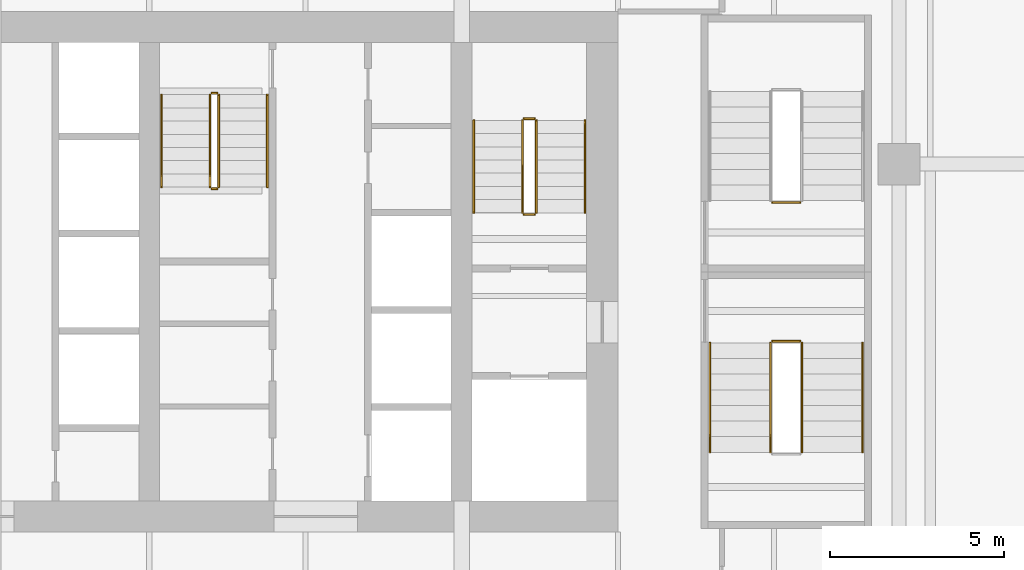
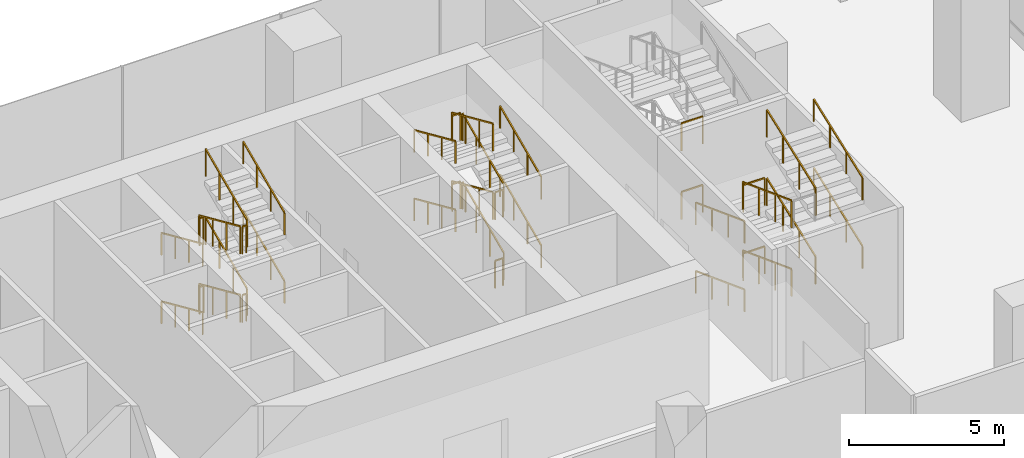
# One storey, part 25 of 26: 36 railings.
"""IFC4 building model written with IfcOpenShell, lengths in metres."""

import ifcopenshell
import ifcopenshell.guid

model = None  # the IFC model being written
_history = None  # IfcOwnerHistory: only IFC2X3 demands one
_inside = {}  # id of a spatial element -> (the spatial element, [elements in it])
_under = {}  # id of a project, library or spatial element -> (it, [spatial elements below it])
_declared = {}  # id of a project -> (the project, [libraries it declares])
_typed = {}  # id of a type object -> (the type object, [elements of that type])
_made_of = {}  # id of a material, layer set ... -> (it, [elements and type objects made of it])


def new_model(schema):
    """Start an empty IFC model of exactly this schema.

    Asked for "IFC4X3", IfcOpenShell would pick the latest addendum, in which some entities
    have other attributes; the version numbers below select the first issue.
    IFC2X3 requires an IfcOwnerHistory on every rooted entity: one is made here for all.
    """
    global model, _history
    if schema == "IFC4X3":
        model = ifcopenshell.file(schema_version=(4, 3, 0, 0))
    else:
        model = ifcopenshell.file(schema=schema)
    _inside.clear()
    _under.clear()
    _declared.clear()
    _typed.clear()
    _made_of.clear()
    _history = None
    if model.schema == "IFC2X3":
        org = make("IfcOrganization", Name="unknown")
        user = make(
            "IfcPersonAndOrganization",
            ThePerson=make("IfcPerson", FamilyName="unknown"),
            TheOrganization=org,
        )
        app = make(
            "IfcApplication",
            ApplicationDeveloper=org,
            Version="unknown",
            ApplicationFullName="unknown",
            ApplicationIdentifier="unknown",
        )
        _history = make(
            "IfcOwnerHistory",
            OwningUser=user,
            OwningApplication=app,
            ChangeAction="ADDED",
            CreationDate=0,
        )
    return model


def make(cls, **values):
    """One entity of the class cls with the attributes given. An attribute that is None is left unset."""
    return model.create_entity(
        cls, **{name: value for name, value in values.items() if value is not None}
    )


def rooted(cls, **values):
    """An entity with a GlobalId (a new one), such as an element, a storey or a relation."""
    return make(cls, GlobalId=ifcopenshell.guid.new(), OwnerHistory=_history, **values)


def si_unit(unit_type, name, prefix=None):
    """IfcSIUnit, for example si_unit("LENGTHUNIT", "METRE", prefix="MILLI")."""
    return make("IfcSIUnit", UnitType=unit_type, Prefix=prefix, Name=name)


def assignment(units):
    """IfcUnitAssignment: the units of a project."""
    return None if units is None else make("IfcUnitAssignment", Units=units)


def point(xyz):
    """IfcCartesianPoint."""
    return None if xyz is None else make("IfcCartesianPoint", Coordinates=xyz)


def direction(xyz):
    """IfcDirection."""
    return None if xyz is None else make("IfcDirection", DirectionRatios=xyz)


def frame(location, z_axis=None, x_axis=None):
    """IfcAxis2Placement3D, a coordinate frame: its origin and axes. An axis left out is left unset."""
    return make(
        "IfcAxis2Placement3D",
        Location=point(location),
        Axis=direction(z_axis),
        RefDirection=direction(x_axis),
    )


def frame_2d(location, x_axis=None):
    """IfcAxis2Placement2D, a coordinate frame in the plane: its origin and x axis."""
    return make(
        "IfcAxis2Placement2D", Location=point(location), RefDirection=direction(x_axis)
    )


def origin():
    """The frame at (0, 0, 0) with its axes left unset."""
    return frame((0.0, 0.0, 0.0))


def origin_2d():
    """The frame at (0, 0) in the plane with its x axis left unset."""
    return frame_2d((0.0, 0.0))


def place(relative_to, where):
    """IfcLocalPlacement: puts the frame where relative to a parent placement (None: the world)."""
    return make(
        "IfcLocalPlacement", PlacementRelTo=relative_to, RelativePlacement=where
    )


def context(
    kind, dimensions, precision=None, world=None, true_north=None, identifier=None
):
    """IfcGeometricRepresentationContext, for example the 3D "Model" context."""
    return make(
        "IfcGeometricRepresentationContext",
        ContextIdentifier=identifier,
        ContextType=kind,
        CoordinateSpaceDimension=dimensions,
        Precision=precision,
        WorldCoordinateSystem=world,
        TrueNorth=true_north,
    )


def subcontext(parent, identifier, kind, view, scale=None):
    """IfcGeometricRepresentationSubContext, for example "Body" below "Model"."""
    return make(
        "IfcGeometricRepresentationSubContext",
        ContextIdentifier=identifier,
        ContextType=kind,
        ParentContext=parent,
        TargetScale=scale,
        TargetView=view,
    )


def project(units=None, contexts=None):
    """IfcProject with its units and contexts."""
    return rooted(
        "IfcProject",
        Name="project",
        RepresentationContexts=contexts,
        UnitsInContext=assignment(units),
    )


def spatial(cls, under=None, at=None, **own):
    """A site, building, storey or space (cls), placed at a placement, below another one or the project."""
    s = rooted(cls, ObjectPlacement=at, **own)
    if under is not None:
        _under.setdefault(under.id(), (under, []))[1].append(s)
    return s


def profile(cls, at=None, kind="AREA", **sizes):
    """A parametric profile (cls). Its sizes go by their IFC names, for example OverallWidth=200.0."""
    return make(cls, ProfileType=kind, Position=at, **sizes)


def rectangle(**sizes):
    """IfcRectangleProfileDef."""
    return profile("IfcRectangleProfileDef", **sizes)


def extrude(swept, where, along, depth):
    """IfcExtrudedAreaSolid: the profile swept, set in the frame where, extruded along a direction by depth."""
    return make(
        "IfcExtrudedAreaSolid",
        SweptArea=swept,
        Position=where,
        ExtrudedDirection=direction(along),
        Depth=depth,
    )


def shape(context_of_items, identifier, shape_type, items):
    """IfcShapeRepresentation: the items that make up one representation, for example the "Body"."""
    return make(
        "IfcShapeRepresentation",
        ContextOfItems=context_of_items,
        RepresentationIdentifier=identifier,
        RepresentationType=shape_type,
        Items=items,
    )


def material(Name=None, Category=None):
    """IfcMaterial."""
    return make("IfcMaterial", Name=Name, Category=Category)


def made_of(thing, what):
    """Note that an element or type object is made of a material, layer set ...; save() writes the relation."""
    if what is not None:
        _made_of.setdefault(what.id(), (what, []))[1].append(thing)
    return thing


def type_object(cls, material=None, **own):
    """A type object (cls), such as IfcWallType, which elements share."""
    return made_of(rooted(cls, **own), material)


def element(
    cls,
    number,
    at=None,
    inside=None,
    cuts=None,
    type_object=None,
    material=None,
    context=None,
    identifier="Body",
    shape_type=None,
    held_by="IfcProductDefinitionShape",
    body=None,
    shapes=None,
    **own,
):
    """One element of the class cls, such as IfcWall. Its Tag is "e" and its number.

    at: its placement. inside: the storey or other place that contains it. cuts: it is an
    opening in that element (IfcRelVoidsElement). A single representation is given by context,
    identifier, shape_type and body (its items); several are given by shapes. held_by: the class
    of the entity that holds the representations. save() writes the other relations.
    """
    e = rooted(cls, Tag="e%d" % number, ObjectPlacement=at, **own)
    if body is not None:
        shapes = [shape(context, identifier, shape_type, body)]
    if shapes is not None:
        e.Representation = make(held_by, Representations=shapes)
    if inside is not None:
        _inside.setdefault(inside.id(), (inside, []))[1].append(e)
    if cuts is not None:
        rooted(
            "IfcRelVoidsElement", RelatingBuildingElement=cuts, RelatedOpeningElement=e
        )
    if type_object is not None:
        _typed.setdefault(type_object.id(), (type_object, []))[1].append(e)
    return made_of(e, material)


def aggregate(whole, parts):
    """IfcRelAggregates: a whole, such as a stair, and the parts it consists of."""
    return rooted("IfcRelAggregates", RelatingObject=whole, RelatedObjects=parts)


def save(model, path):
    """Write the relations noted so far, then the file.

    IfcRelAggregates (storeys below a building ...), IfcRelContainedInSpatialStructure (elements
    in a storey), IfcRelDefinesByType, IfcRelAssociatesMaterial and IfcRelDeclares: one each for
    every whole, place, type object, material and project.
    """
    for whole, parts in _under.values():
        aggregate(whole, parts)
    for where, things in _inside.values():
        rooted(
            "IfcRelContainedInSpatialStructure",
            RelatedElements=things,
            RelatingStructure=where,
        )
    for kind, things in _typed.values():
        rooted("IfcRelDefinesByType", RelatedObjects=things, RelatingType=kind)
    for what, things in _made_of.values():
        rooted("IfcRelAssociatesMaterial", RelatedObjects=things, RelatingMaterial=what)
    for by, libraries in _declared.values():
        rooted("IfcRelDeclares", RelatingContext=by, RelatedDefinitions=libraries)
    model.write(path)


model = new_model("IFC4")

# Units and contexts
model_context = context("Model", 3, precision=1e-05, world=origin(), true_north=direction((0.0, 1.0)))
body_context = subcontext(model_context, "Body", "Model", "MODEL_VIEW")
ifc_project = project(units=[si_unit("LENGTHUNIT", "METRE"), si_unit("AREAUNIT", "SQUARE_METRE"), si_unit("VOLUMEUNIT", "CUBIC_METRE"), si_unit("PLANEANGLEUNIT", "RADIAN"), si_unit("MASSUNIT", "GRAM", prefix="KILO")], contexts=[model_context])

# Site, building, storey
site_placement = place(None, origin())
site = spatial("IfcSite", under=ifc_project, at=site_placement, CompositionType="ELEMENT")
building_placement = place(site_placement, origin())
building = spatial("IfcBuilding", under=site, at=building_placement, Name="Rattan Terrace Tower", CompositionType="ELEMENT")
storey_placement = place(building_placement, frame((0.0, 0.0, 7.199951171875)))
storey = spatial("IfcBuildingStorey", under=building, at=storey_placement, Name="L01", CompositionType="ELEMENT", Elevation=7.199951171875)

# Railings
ifc_material_1 = material(Name="Powder-coated steel guard", Category="steel")
railing_type_1 = type_object("IfcRailingType", Name="Core stair guard", PredefinedType="GUARDRAIL", material=ifc_material_1)
railing_1_placement = place(storey_placement, frame((15.64990234375, 1.699951171875, 0.168701171875)))
element("IfcRailing", 1, at=railing_1_placement, inside=storey, type_object=railing_type_1, Name="L01 S2 stair guard 1", PredefinedType="GUARDRAIL", context=body_context, shape_type="SweptSolid", body=[
    extrude(rectangle(XDim=0.048095703125, YDim=0.048095703125, at=origin_2d()), frame((0.0, 0.0, 1.076171875), z_axis=(0.0, 0.913925654661, 0.405881630223), x_axis=(-1.0, 0.0, 0.0)), (0.0, 0.0, 1.0), 2.91064453125),
    extrude(rectangle(XDim=0.0419921875, YDim=0.0419921875, at=origin_2d()), origin(), (0.0, 0.0, 1.0), 1.052001953125),
    extrude(rectangle(XDim=0.0419921875, YDim=0.0419921875, at=origin_2d()), frame((0.0, 0.88671875, 0.393798828125)), (0.0, 0.0, 1.0), 1.052001953125),
    extrude(rectangle(XDim=0.0419921875, YDim=0.0419921875, at=origin_2d()), frame((0.0, 1.7734375, 0.78759765625)), (0.0, 0.0, 1.0), 1.052001953125),
    extrude(rectangle(XDim=0.0419921875, YDim=0.0419921875, at=origin_2d()), frame((0.0, 2.66015625, 1.181396484375)), (0.0, 0.0, 1.0), 1.052001953125),
])
railing_2_placement = place(storey_placement, frame((15.60009765625, 4.409912109375, 1.35009765625)))
element("IfcRailing", 2, at=railing_2_placement, inside=storey, type_object=railing_type_1, Name="L01 S2 stair guard 2", PredefinedType="GUARDRAIL", context=body_context, shape_type="SweptSolid", body=[
    extrude(rectangle(XDim=0.048095703125, YDim=0.048095703125, at=origin_2d()), frame((0.0, 0.0, 1.076171875), z_axis=(-1.0, 0.0, 0.0), x_axis=(0.0, -1.0, 0.0)), (0.0, 0.0, 1.0), 0.300048828125),
    extrude(rectangle(XDim=0.0419921875, YDim=0.0419921875, at=origin_2d()), origin(), (0.0, 0.0, 1.0), 1.052001953125),
    extrude(rectangle(XDim=0.0419921875, YDim=0.0419921875, at=origin_2d()), frame((-0.300048828125, 0.0, 0.0)), (0.0, 0.0, 1.0), 1.052001953125),
])
railing_3_placement = place(storey_placement, frame((15.25, 4.360107421875, 1.518798828125)))
element("IfcRailing", 3, at=railing_3_placement, inside=storey, type_object=railing_type_1, Name="L01 S2 stair guard 3", PredefinedType="GUARDRAIL", context=body_context, shape_type="SweptSolid", body=[
    extrude(rectangle(XDim=0.048095703125, YDim=0.048095703125, at=origin_2d()), frame((0.0, 0.0, 1.076171875), z_axis=(0.0, -0.913956766905, 0.405811567391), x_axis=(1.0, 0.0, 0.0)), (0.0, 0.0, 1.0), 2.91064453125),
    extrude(rectangle(XDim=0.0419921875, YDim=0.0419921875, at=origin_2d()), origin(), (0.0, 0.0, 1.0), 1.052001953125),
    extrude(rectangle(XDim=0.0419921875, YDim=0.0419921875, at=origin_2d()), frame((0.0, -0.88671875, 0.393798828125)), (0.0, 0.0, 1.0), 1.052001953125),
    extrude(rectangle(XDim=0.0419921875, YDim=0.0419921875, at=origin_2d()), frame((0.0, -1.7734375, 0.787353515625)), (0.0, 0.0, 1.0), 1.052001953125),
    extrude(rectangle(XDim=0.0419921875, YDim=0.0419921875, at=origin_2d()), frame((0.0, -2.66015625, 1.18115234375)), (0.0, 0.0, 1.0), 1.052001953125),
])
railing_4_placement = place(storey_placement, frame((15.60009765625, 1.64990234375, 2.699951171875)))
element("IfcRailing", 4, at=railing_4_placement, inside=storey, type_object=railing_type_1, Name="L01 S2 stair guard 4", PredefinedType="GUARDRAIL", context=body_context, shape_type="SweptSolid", body=[
    extrude(rectangle(XDim=0.048095703125, YDim=0.048095703125, at=origin_2d()), frame((0.0, 0.0, 1.076171875), z_axis=(-1.0, 0.0, 0.0), x_axis=(0.0, -1.0, 0.0)), (0.0, 0.0, 1.0), 0.300048828125),
    extrude(rectangle(XDim=0.0419921875, YDim=0.0419921875, at=origin_2d()), origin(), (0.0, 0.0, 1.0), 1.052001953125),
    extrude(rectangle(XDim=0.0419921875, YDim=0.0419921875, at=origin_2d()), frame((-0.300048828125, 0.0, 0.0)), (0.0, 0.0, 1.0), 1.052001953125),
])
railing_5_placement = place(storey_placement, frame((15.64990234375, 1.699951171875, 2.868896484375)))
element("IfcRailing", 5, at=railing_5_placement, inside=storey, type_object=railing_type_1, Name="L01 S2 stair guard 5", PredefinedType="GUARDRAIL", context=body_context, shape_type="SweptSolid", body=[
    extrude(rectangle(XDim=0.048095703125, YDim=0.048095703125, at=origin_2d()), frame((0.0, 0.0, 1.076171875), z_axis=(0.0, 0.913956766905, 0.405811567391), x_axis=(-1.0, 0.0, 0.0)), (0.0, 0.0, 1.0), 2.91064453125),
    extrude(rectangle(XDim=0.0419921875, YDim=0.0419921875, at=origin_2d()), origin(), (0.0, 0.0, 1.0), 1.052001953125),
    extrude(rectangle(XDim=0.0419921875, YDim=0.0419921875, at=origin_2d()), frame((0.0, 0.88671875, 0.393798828125)), (0.0, 0.0, 1.0), 1.052001953125),
    extrude(rectangle(XDim=0.0419921875, YDim=0.0419921875, at=origin_2d()), frame((0.0, 1.7734375, 0.787353515625)), (0.0, 0.0, 1.0), 1.052001953125),
    extrude(rectangle(XDim=0.0419921875, YDim=0.0419921875, at=origin_2d()), frame((0.0, 2.66015625, 1.18115234375)), (0.0, 0.0, 1.0), 1.052001953125),
])
railing_6_placement = place(storey_placement, frame((15.60009765625, 4.409912109375, 4.050048828125)))
element("IfcRailing", 6, at=railing_6_placement, inside=storey, type_object=railing_type_1, Name="L01 S2 stair guard 6", PredefinedType="GUARDRAIL", context=body_context, shape_type="SweptSolid", body=[
    extrude(rectangle(XDim=0.048095703125, YDim=0.048095703125, at=origin_2d()), frame((0.0, 0.0, 1.076171875), z_axis=(-1.0, 0.0, 0.0), x_axis=(0.0, -1.0, 0.0)), (0.0, 0.0, 1.0), 0.300048828125),
    extrude(rectangle(XDim=0.0419921875, YDim=0.0419921875, at=origin_2d()), origin(), (0.0, 0.0, 1.0), 1.052001953125),
    extrude(rectangle(XDim=0.0419921875, YDim=0.0419921875, at=origin_2d()), frame((-0.300048828125, 0.0, 0.0)), (0.0, 0.0, 1.0), 1.052001953125),
])
railing_7_placement = place(storey_placement, frame((15.25, 4.360107421875, 4.21875)))
element("IfcRailing", 7, at=railing_7_placement, inside=storey, type_object=railing_type_1, Name="L01 S2 stair guard 7", PredefinedType="GUARDRAIL", context=body_context, shape_type="SweptSolid", body=[
    extrude(rectangle(XDim=0.048095703125, YDim=0.048095703125, at=origin_2d()), frame((0.0, 0.0, 1.076171875), z_axis=(0.0, -0.913925654661, 0.405881630223), x_axis=(1.0, 0.0, 0.0)), (0.0, 0.0, 1.0), 2.91064453125),
    extrude(rectangle(XDim=0.0419921875, YDim=0.0419921875, at=origin_2d()), origin(), (0.0, 0.0, 1.0), 1.052001953125),
    extrude(rectangle(XDim=0.0419921875, YDim=0.0419921875, at=origin_2d()), frame((0.0, -0.88671875, 0.393798828125)), (0.0, 0.0, 1.0), 1.052001953125),
    extrude(rectangle(XDim=0.0419921875, YDim=0.0419921875, at=origin_2d()), frame((0.0, -1.7734375, 0.78759765625)), (0.0, 0.0, 1.0), 1.052001953125),
    extrude(rectangle(XDim=0.0419921875, YDim=0.0419921875, at=origin_2d()), frame((0.0, -2.66015625, 1.181396484375)), (0.0, 0.0, 1.0), 1.052001953125),
])
railing_8_placement = place(storey_placement, frame((15.60009765625, 1.64990234375, 0.0)))
element("IfcRailing", 8, at=railing_8_placement, inside=storey, type_object=railing_type_1, Name="L01 S2 stair guard 8", PredefinedType="GUARDRAIL", context=body_context, shape_type="SweptSolid", body=[
    extrude(rectangle(XDim=0.048095703125, YDim=0.048095703125, at=origin_2d()), frame((0.0, 0.0, 1.076171875), z_axis=(-1.0, 0.0, 0.0), x_axis=(0.0, -1.0, 0.0)), (0.0, 0.0, 1.0), 0.300048828125),
    extrude(rectangle(XDim=0.0419921875, YDim=0.0419921875, at=origin_2d()), origin(), (0.0, 0.0, 1.0), 1.052001953125),
    extrude(rectangle(XDim=0.0419921875, YDim=0.0419921875, at=origin_2d()), frame((-0.300048828125, 0.0, 0.0)), (0.0, 0.0, 1.0), 1.052001953125),
])
railing_9_placement = place(storey_placement, frame((6.25, 5.10009765625, 0.168701171875)))
element("IfcRailing", 9, at=railing_9_placement, inside=storey, type_object=railing_type_1, Name="L01 S3 stair guard 1", PredefinedType="GUARDRAIL", context=body_context, shape_type="SweptSolid", body=[
    extrude(rectangle(XDim=0.048095703125, YDim=0.048095703125, at=origin_2d()), frame((0.0, 0.0, 1.076171875), z_axis=(0.0, -0.913925654661, 0.405881630223), x_axis=(1.0, 0.0, 0.0)), (0.0, 0.0, 1.0), 2.91064453125),
    extrude(rectangle(XDim=0.0419921875, YDim=0.0419921875, at=origin_2d()), origin(), (0.0, 0.0, 1.0), 1.052001953125),
    extrude(rectangle(XDim=0.0419921875, YDim=0.0419921875, at=origin_2d()), frame((0.0, -0.88671875, 0.393798828125)), (0.0, 0.0, 1.0), 1.052001953125),
    extrude(rectangle(XDim=0.0419921875, YDim=0.0419921875, at=origin_2d()), frame((0.0, -1.7734375, 0.78759765625)), (0.0, 0.0, 1.0), 1.052001953125),
    extrude(rectangle(XDim=0.0419921875, YDim=0.0419921875, at=origin_2d()), frame((0.0, -2.66015625, 1.181396484375)), (0.0, 0.0, 1.0), 1.052001953125),
])
railing_10_placement = place(storey_placement, frame((6.300048828125, 2.389892578125, 1.35009765625)))
element("IfcRailing", 10, at=railing_10_placement, inside=storey, type_object=railing_type_1, Name="L01 S3 stair guard 2", PredefinedType="GUARDRAIL", context=body_context, shape_type="SweptSolid", body=[
    extrude(rectangle(XDim=0.048095703125, YDim=0.048095703125, at=origin_2d()), frame((0.0, 0.0, 1.076171875), z_axis=(1.0, 0.0, 0.0), x_axis=(0.0, 1.0, 0.0)), (0.0, 0.0, 1.0), 0.14990234375),
    extrude(rectangle(XDim=0.0419921875, YDim=0.0419921875, at=origin_2d()), origin(), (0.0, 0.0, 1.0), 1.052001953125),
    extrude(rectangle(XDim=0.0419921875, YDim=0.0419921875, at=origin_2d()), frame((0.14990234375, 0.0, 0.0)), (0.0, 0.0, 1.0), 1.052001953125),
])
railing_11_placement = place(storey_placement, frame((6.5, 2.43994140625, 1.518798828125)))
element("IfcRailing", 11, at=railing_11_placement, inside=storey, type_object=railing_type_1, Name="L01 S3 stair guard 3", PredefinedType="GUARDRAIL", context=body_context, shape_type="SweptSolid", body=[
    extrude(rectangle(XDim=0.048095703125, YDim=0.048095703125, at=origin_2d()), frame((0.0, 0.0, 1.076171875), z_axis=(0.0, 0.913956766905, 0.405811567391), x_axis=(-1.0, 0.0, 0.0)), (0.0, 0.0, 1.0), 2.91064453125),
    extrude(rectangle(XDim=0.0419921875, YDim=0.0419921875, at=origin_2d()), origin(), (0.0, 0.0, 1.0), 1.052001953125),
    extrude(rectangle(XDim=0.0419921875, YDim=0.0419921875, at=origin_2d()), frame((0.0, 0.88671875, 0.393798828125)), (0.0, 0.0, 1.0), 1.052001953125),
    extrude(rectangle(XDim=0.0419921875, YDim=0.0419921875, at=origin_2d()), frame((0.0, 1.7734375, 0.787353515625)), (0.0, 0.0, 1.0), 1.052001953125),
    extrude(rectangle(XDim=0.0419921875, YDim=0.0419921875, at=origin_2d()), frame((0.0, 2.66015625, 1.18115234375)), (0.0, 0.0, 1.0), 1.052001953125),
])
railing_12_placement = place(storey_placement, frame((6.300048828125, 5.14990234375, 2.699951171875)))
element("IfcRailing", 12, at=railing_12_placement, inside=storey, type_object=railing_type_1, Name="L01 S3 stair guard 4", PredefinedType="GUARDRAIL", context=body_context, shape_type="SweptSolid", body=[
    extrude(rectangle(XDim=0.048095703125, YDim=0.048095703125, at=origin_2d()), frame((0.0, 0.0, 1.076171875), z_axis=(1.0, 0.0, 0.0), x_axis=(0.0, 1.0, 0.0)), (0.0, 0.0, 1.0), 0.14990234375),
    extrude(rectangle(XDim=0.0419921875, YDim=0.0419921875, at=origin_2d()), origin(), (0.0, 0.0, 1.0), 1.052001953125),
    extrude(rectangle(XDim=0.0419921875, YDim=0.0419921875, at=origin_2d()), frame((0.14990234375, 0.0, 0.0)), (0.0, 0.0, 1.0), 1.052001953125),
])
railing_13_placement = place(storey_placement, frame((6.25, 5.10009765625, 2.868896484375)))
element("IfcRailing", 13, at=railing_13_placement, inside=storey, type_object=railing_type_1, Name="L01 S3 stair guard 5", PredefinedType="GUARDRAIL", context=body_context, shape_type="SweptSolid", body=[
    extrude(rectangle(XDim=0.048095703125, YDim=0.048095703125, at=origin_2d()), frame((0.0, 0.0, 1.076171875), z_axis=(0.0, -0.913956766905, 0.405811567391), x_axis=(1.0, 0.0, 0.0)), (0.0, 0.0, 1.0), 2.91064453125),
    extrude(rectangle(XDim=0.0419921875, YDim=0.0419921875, at=origin_2d()), origin(), (0.0, 0.0, 1.0), 1.052001953125),
    extrude(rectangle(XDim=0.0419921875, YDim=0.0419921875, at=origin_2d()), frame((0.0, -0.88671875, 0.393798828125)), (0.0, 0.0, 1.0), 1.052001953125),
    extrude(rectangle(XDim=0.0419921875, YDim=0.0419921875, at=origin_2d()), frame((0.0, -1.7734375, 0.787353515625)), (0.0, 0.0, 1.0), 1.052001953125),
    extrude(rectangle(XDim=0.0419921875, YDim=0.0419921875, at=origin_2d()), frame((0.0, -2.66015625, 1.18115234375)), (0.0, 0.0, 1.0), 1.052001953125),
])
railing_14_placement = place(storey_placement, frame((6.300048828125, 2.389892578125, 4.050048828125)))
element("IfcRailing", 14, at=railing_14_placement, inside=storey, type_object=railing_type_1, Name="L01 S3 stair guard 6", PredefinedType="GUARDRAIL", context=body_context, shape_type="SweptSolid", body=[
    extrude(rectangle(XDim=0.048095703125, YDim=0.048095703125, at=origin_2d()), frame((0.0, 0.0, 1.076171875), z_axis=(1.0, 0.0, 0.0), x_axis=(0.0, 1.0, 0.0)), (0.0, 0.0, 1.0), 0.14990234375),
    extrude(rectangle(XDim=0.0419921875, YDim=0.0419921875, at=origin_2d()), origin(), (0.0, 0.0, 1.0), 1.052001953125),
    extrude(rectangle(XDim=0.0419921875, YDim=0.0419921875, at=origin_2d()), frame((0.14990234375, 0.0, 0.0)), (0.0, 0.0, 1.0), 1.052001953125),
])
railing_15_placement = place(storey_placement, frame((6.5, 2.43994140625, 4.21875)))
element("IfcRailing", 15, at=railing_15_placement, inside=storey, type_object=railing_type_1, Name="L01 S3 stair guard 7", PredefinedType="GUARDRAIL", context=body_context, shape_type="SweptSolid", body=[
    extrude(rectangle(XDim=0.048095703125, YDim=0.048095703125, at=origin_2d()), frame((0.0, 0.0, 1.076171875), z_axis=(0.0, 0.913925654661, 0.405881630223), x_axis=(-1.0, 0.0, 0.0)), (0.0, 0.0, 1.0), 2.91064453125),
    extrude(rectangle(XDim=0.0419921875, YDim=0.0419921875, at=origin_2d()), origin(), (0.0, 0.0, 1.0), 1.052001953125),
    extrude(rectangle(XDim=0.0419921875, YDim=0.0419921875, at=origin_2d()), frame((0.0, 0.88671875, 0.393798828125)), (0.0, 0.0, 1.0), 1.052001953125),
    extrude(rectangle(XDim=0.0419921875, YDim=0.0419921875, at=origin_2d()), frame((0.0, 1.7734375, 0.78759765625)), (0.0, 0.0, 1.0), 1.052001953125),
    extrude(rectangle(XDim=0.0419921875, YDim=0.0419921875, at=origin_2d()), frame((0.0, 2.66015625, 1.181396484375)), (0.0, 0.0, 1.0), 1.052001953125),
])
railing_16_placement = place(storey_placement, frame((6.300048828125, 5.14990234375, 0.0)))
element("IfcRailing", 16, at=railing_16_placement, inside=storey, type_object=railing_type_1, Name="L01 S3 stair guard 8", PredefinedType="GUARDRAIL", context=body_context, shape_type="SweptSolid", body=[
    extrude(rectangle(XDim=0.048095703125, YDim=0.048095703125, at=origin_2d()), frame((0.0, 0.0, 1.076171875), z_axis=(1.0, 0.0, 0.0), x_axis=(0.0, 1.0, 0.0)), (0.0, 0.0, 1.0), 0.14990234375),
    extrude(rectangle(XDim=0.0419921875, YDim=0.0419921875, at=origin_2d()), origin(), (0.0, 0.0, 1.0), 1.052001953125),
    extrude(rectangle(XDim=0.0419921875, YDim=0.0419921875, at=origin_2d()), frame((0.14990234375, 0.0, 0.0)), (0.0, 0.0, 1.0), 1.052001953125),
])
railing_17_placement = place(storey_placement, frame((22.39990234375, -2.050048828125, 0.168701171875)))
element("IfcRailing", 17, at=railing_17_placement, inside=storey, type_object=railing_type_1, Name="L01 S6 stair guard 1", PredefinedType="GUARDRAIL", context=body_context, shape_type="SweptSolid", body=[
    extrude(rectangle(XDim=0.048095703125, YDim=0.048095703125, at=origin_2d()), frame((0.0, 0.0, 1.076171875), z_axis=(0.0, -0.936311282129, 0.351171159062), x_axis=(1.0, 0.0, 0.0)), (0.0, 0.0, 1.0), 3.3642578125),
    extrude(rectangle(XDim=0.0419921875, YDim=0.0419921875, at=origin_2d()), origin(), (0.0, 0.0, 1.0), 1.052001953125),
    extrude(rectangle(XDim=0.0419921875, YDim=0.0419921875, at=origin_2d()), frame((0.0, -1.050048828125, 0.393798828125)), (0.0, 0.0, 1.0), 1.052001953125),
    extrude(rectangle(XDim=0.0419921875, YDim=0.0419921875, at=origin_2d()), frame((0.0, -2.099853515625, 0.78759765625)), (0.0, 0.0, 1.0), 1.052001953125),
    extrude(rectangle(XDim=0.0419921875, YDim=0.0419921875, at=origin_2d()), frame((0.0, -3.14990234375, 1.181396484375)), (0.0, 0.0, 1.0), 1.052001953125),
])
railing_18_placement = place(storey_placement, frame((23.300048828125, -5.199951171875, 1.518798828125)))
element("IfcRailing", 18, at=railing_18_placement, inside=storey, type_object=railing_type_1, Name="L01 S6 stair guard 3", PredefinedType="GUARDRAIL", context=body_context, shape_type="SweptSolid", body=[
    extrude(rectangle(XDim=0.048095703125, YDim=0.048095703125, at=origin_2d()), frame((0.0, 0.0, 1.076171875), z_axis=(0.0, 0.936335142327, 0.351107535156), x_axis=(-1.0, 0.0, 0.0)), (0.0, 0.0, 1.0), 3.364013671875),
    extrude(rectangle(XDim=0.0419921875, YDim=0.0419921875, at=origin_2d()), origin(), (0.0, 0.0, 1.0), 1.052001953125),
    extrude(rectangle(XDim=0.0419921875, YDim=0.0419921875, at=origin_2d()), frame((0.0, 1.050048828125, 0.393798828125)), (0.0, 0.0, 1.0), 1.052001953125),
    extrude(rectangle(XDim=0.0419921875, YDim=0.0419921875, at=origin_2d()), frame((0.0, 2.099853515625, 0.787353515625)), (0.0, 0.0, 1.0), 1.052001953125),
    extrude(rectangle(XDim=0.0419921875, YDim=0.0419921875, at=origin_2d()), frame((0.0, 3.14990234375, 1.18115234375)), (0.0, 0.0, 1.0), 1.052001953125),
])
railing_19_placement = place(storey_placement, frame((22.449951171875, -2.0, 2.699951171875)))
element("IfcRailing", 19, at=railing_19_placement, inside=storey, type_object=railing_type_1, Name="L01 S6 stair guard 4", PredefinedType="GUARDRAIL", context=body_context, shape_type="SweptSolid", body=[
    extrude(rectangle(XDim=0.048095703125, YDim=0.048095703125, at=origin_2d()), frame((0.0, 0.0, 1.076171875), z_axis=(1.0, 0.0, 0.0), x_axis=(0.0, 1.0, 0.0)), (0.0, 0.0, 1.0), 0.800048828125),
    extrude(rectangle(XDim=0.0419921875, YDim=0.0419921875, at=origin_2d()), origin(), (0.0, 0.0, 1.0), 1.052001953125),
    extrude(rectangle(XDim=0.0419921875, YDim=0.0419921875, at=origin_2d()), frame((0.800048828125, 0.0, 0.0)), (0.0, 0.0, 1.0), 1.052001953125),
])
railing_20_placement = place(storey_placement, frame((22.39990234375, -2.050048828125, 2.868896484375)))
element("IfcRailing", 20, at=railing_20_placement, inside=storey, type_object=railing_type_1, Name="L01 S6 stair guard 5", PredefinedType="GUARDRAIL", context=body_context, shape_type="SweptSolid", body=[
    extrude(rectangle(XDim=0.048095703125, YDim=0.048095703125, at=origin_2d()), frame((0.0, 0.0, 1.076171875), z_axis=(0.0, -0.936335142327, 0.351107535156), x_axis=(1.0, 0.0, 0.0)), (0.0, 0.0, 1.0), 3.364013671875),
    extrude(rectangle(XDim=0.0419921875, YDim=0.0419921875, at=origin_2d()), origin(), (0.0, 0.0, 1.0), 1.052001953125),
    extrude(rectangle(XDim=0.0419921875, YDim=0.0419921875, at=origin_2d()), frame((0.0, -1.050048828125, 0.393798828125)), (0.0, 0.0, 1.0), 1.052001953125),
    extrude(rectangle(XDim=0.0419921875, YDim=0.0419921875, at=origin_2d()), frame((0.0, -2.099853515625, 0.787353515625)), (0.0, 0.0, 1.0), 1.052001953125),
    extrude(rectangle(XDim=0.0419921875, YDim=0.0419921875, at=origin_2d()), frame((0.0, -3.14990234375, 1.18115234375)), (0.0, 0.0, 1.0), 1.052001953125),
])
railing_21_placement = place(storey_placement, frame((23.300048828125, -5.199951171875, 4.21875)))
element("IfcRailing", 21, at=railing_21_placement, inside=storey, type_object=railing_type_1, Name="L01 S6 stair guard 7", PredefinedType="GUARDRAIL", context=body_context, shape_type="SweptSolid", body=[
    extrude(rectangle(XDim=0.048095703125, YDim=0.048095703125, at=origin_2d()), frame((0.0, 0.0, 1.076171875), z_axis=(0.0, 0.936311282129, 0.351171159062), x_axis=(-1.0, 0.0, 0.0)), (0.0, 0.0, 1.0), 3.3642578125),
    extrude(rectangle(XDim=0.0419921875, YDim=0.0419921875, at=origin_2d()), origin(), (0.0, 0.0, 1.0), 1.052001953125),
    extrude(rectangle(XDim=0.0419921875, YDim=0.0419921875, at=origin_2d()), frame((0.0, 1.050048828125, 0.393798828125)), (0.0, 0.0, 1.0), 1.052001953125),
    extrude(rectangle(XDim=0.0419921875, YDim=0.0419921875, at=origin_2d()), frame((0.0, 2.099853515625, 0.78759765625)), (0.0, 0.0, 1.0), 1.052001953125),
    extrude(rectangle(XDim=0.0419921875, YDim=0.0419921875, at=origin_2d()), frame((0.0, 3.14990234375, 1.181396484375)), (0.0, 0.0, 1.0), 1.052001953125),
])
railing_22_placement = place(storey_placement, frame((22.449951171875, -2.0, 0.0)))
element("IfcRailing", 22, at=railing_22_placement, inside=storey, type_object=railing_type_1, Name="L01 S6 stair guard 8", PredefinedType="GUARDRAIL", context=body_context, shape_type="SweptSolid", body=[
    extrude(rectangle(XDim=0.048095703125, YDim=0.048095703125, at=origin_2d()), frame((0.0, 0.0, 1.076171875), z_axis=(1.0, 0.0, 0.0), x_axis=(0.0, 1.0, 0.0)), (0.0, 0.0, 1.0), 0.800048828125),
    extrude(rectangle(XDim=0.0419921875, YDim=0.0419921875, at=origin_2d()), origin(), (0.0, 0.0, 1.0), 1.052001953125),
    extrude(rectangle(XDim=0.0419921875, YDim=0.0419921875, at=origin_2d()), frame((0.800048828125, 0.0, 0.0)), (0.0, 0.0, 1.0), 1.052001953125),
])
for number, where, name in (
    (23, (23.25, 2.0, 2.699951171875), "L01 S7 stair guard 4"),
    (24, (23.25, 2.0, 0.0), "L01 S7 stair guard 8"),
):
    element("IfcRailing", number, at=place(storey_placement, frame(where)), inside=storey, type_object=railing_type_1, Name=name, PredefinedType="GUARDRAIL", context=body_context, shape_type="SweptSolid", body=[
        extrude(rectangle(XDim=0.048095703125, YDim=0.048095703125, at=origin_2d()), frame((0.0, 0.0, 1.076171875), z_axis=(-1.0, 0.0, 0.0), x_axis=(0.0, -1.0, 0.0)), (0.0, 0.0, 1.0), 0.800048828125),
        extrude(rectangle(XDim=0.0419921875, YDim=0.0419921875, at=origin_2d()), origin(), (0.0, 0.0, 1.0), 1.052001953125),
        extrude(rectangle(XDim=0.0419921875, YDim=0.0419921875, at=origin_2d()), frame((-0.800048828125, 0.0, 0.0)), (0.0, 0.0, 1.0), 1.052001953125),
    ])
ifc_material_2 = material(Name="Powder-coated steel handrail", Category="steel")
railing_type_2 = type_object("IfcRailingType", Name="Core stair handrail", PredefinedType="HANDRAIL", material=ifc_material_2)
railing_23_placement = place(storey_placement, frame((17.050048828125, 1.699951171875, 0.168701171875)))
element("IfcRailing", 25, at=railing_23_placement, inside=storey, type_object=railing_type_2, Name="L01 S2 stair handrail 1", PredefinedType="HANDRAIL", context=body_context, shape_type="SweptSolid", body=[
    extrude(rectangle(XDim=0.048095703125, YDim=0.048095703125, at=origin_2d()), frame((0.0, 0.0, 0.8759765625), z_axis=(0.0, 0.913925654661, 0.405881630223), x_axis=(-1.0, 0.0, 0.0)), (0.0, 0.0, 1.0), 2.91064453125),
    extrude(rectangle(XDim=0.0419921875, YDim=0.0419921875, at=origin_2d()), origin(), (0.0, 0.0, 1.0), 0.851806640625),
    extrude(rectangle(XDim=0.0419921875, YDim=0.0419921875, at=origin_2d()), frame((0.0, 0.88671875, 0.393798828125)), (0.0, 0.0, 1.0), 0.851806640625),
    extrude(rectangle(XDim=0.0419921875, YDim=0.0419921875, at=origin_2d()), frame((0.0, 1.7734375, 0.78759765625)), (0.0, 0.0, 1.0), 0.851806640625),
    extrude(rectangle(XDim=0.0419921875, YDim=0.0419921875, at=origin_2d()), frame((0.0, 2.66015625, 1.181396484375)), (0.0, 0.0, 1.0), 0.851806640625),
])
railing_24_placement = place(storey_placement, frame((13.85009765625, 4.360107421875, 1.518798828125)))
element("IfcRailing", 26, at=railing_24_placement, inside=storey, type_object=railing_type_2, Name="L01 S2 stair handrail 2", PredefinedType="HANDRAIL", context=body_context, shape_type="SweptSolid", body=[
    extrude(rectangle(XDim=0.048095703125, YDim=0.048095703125, at=origin_2d()), frame((0.0, 0.0, 0.8759765625), z_axis=(0.0, -0.913956766905, 0.405811567391), x_axis=(1.0, 0.0, 0.0)), (0.0, 0.0, 1.0), 2.91064453125),
    extrude(rectangle(XDim=0.0419921875, YDim=0.0419921875, at=origin_2d()), origin(), (0.0, 0.0, 1.0), 0.851806640625),
    extrude(rectangle(XDim=0.0419921875, YDim=0.0419921875, at=origin_2d()), frame((0.0, -0.88671875, 0.393798828125)), (0.0, 0.0, 1.0), 0.851806640625),
    extrude(rectangle(XDim=0.0419921875, YDim=0.0419921875, at=origin_2d()), frame((0.0, -1.7734375, 0.787353515625)), (0.0, 0.0, 1.0), 0.851806640625),
    extrude(rectangle(XDim=0.0419921875, YDim=0.0419921875, at=origin_2d()), frame((0.0, -2.66015625, 1.18115234375)), (0.0, 0.0, 1.0), 0.851806640625),
])
railing_25_placement = place(storey_placement, frame((17.050048828125, 1.699951171875, 2.868896484375)))
element("IfcRailing", 27, at=railing_25_placement, inside=storey, type_object=railing_type_2, Name="L01 S2 stair handrail 3", PredefinedType="HANDRAIL", context=body_context, shape_type="SweptSolid", body=[
    extrude(rectangle(XDim=0.048095703125, YDim=0.048095703125, at=origin_2d()), frame((0.0, 0.0, 0.8759765625), z_axis=(0.0, 0.913956766905, 0.405811567391), x_axis=(-1.0, 0.0, 0.0)), (0.0, 0.0, 1.0), 2.91064453125),
    extrude(rectangle(XDim=0.0419921875, YDim=0.0419921875, at=origin_2d()), origin(), (0.0, 0.0, 1.0), 0.851806640625),
    extrude(rectangle(XDim=0.0419921875, YDim=0.0419921875, at=origin_2d()), frame((0.0, 0.88671875, 0.393798828125)), (0.0, 0.0, 1.0), 0.851806640625),
    extrude(rectangle(XDim=0.0419921875, YDim=0.0419921875, at=origin_2d()), frame((0.0, 1.7734375, 0.787353515625)), (0.0, 0.0, 1.0), 0.851806640625),
    extrude(rectangle(XDim=0.0419921875, YDim=0.0419921875, at=origin_2d()), frame((0.0, 2.66015625, 1.18115234375)), (0.0, 0.0, 1.0), 0.851806640625),
])
for number, where, name in (
    (28, (13.85009765625, 4.360107421875, 4.21875), "L01 S2 stair handrail 4"),
    (29, (4.85009765625, 5.10009765625, 0.168701171875), "L01 S3 stair handrail 1"),
):
    element("IfcRailing", number, at=place(storey_placement, frame(where)), inside=storey, type_object=railing_type_2, Name=name, PredefinedType="HANDRAIL", context=body_context, shape_type="SweptSolid", body=[
        extrude(rectangle(XDim=0.048095703125, YDim=0.048095703125, at=origin_2d()), frame((0.0, 0.0, 0.8759765625), z_axis=(0.0, -0.913925654661, 0.405881630223), x_axis=(1.0, 0.0, 0.0)), (0.0, 0.0, 1.0), 2.91064453125),
        extrude(rectangle(XDim=0.0419921875, YDim=0.0419921875, at=origin_2d()), origin(), (0.0, 0.0, 1.0), 0.851806640625),
        extrude(rectangle(XDim=0.0419921875, YDim=0.0419921875, at=origin_2d()), frame((0.0, -0.88671875, 0.393798828125)), (0.0, 0.0, 1.0), 0.851806640625),
        extrude(rectangle(XDim=0.0419921875, YDim=0.0419921875, at=origin_2d()), frame((0.0, -1.7734375, 0.78759765625)), (0.0, 0.0, 1.0), 0.851806640625),
        extrude(rectangle(XDim=0.0419921875, YDim=0.0419921875, at=origin_2d()), frame((0.0, -2.66015625, 1.181396484375)), (0.0, 0.0, 1.0), 0.851806640625),
    ])
railing_26_placement = place(storey_placement, frame((7.89990234375, 2.43994140625, 1.518798828125)))
element("IfcRailing", 30, at=railing_26_placement, inside=storey, type_object=railing_type_2, Name="L01 S3 stair handrail 2", PredefinedType="HANDRAIL", context=body_context, shape_type="SweptSolid", body=[
    extrude(rectangle(XDim=0.048095703125, YDim=0.048095703125, at=origin_2d()), frame((0.0, 0.0, 0.8759765625), z_axis=(0.0, 0.913956766905, 0.405811567391), x_axis=(-1.0, 0.0, 0.0)), (0.0, 0.0, 1.0), 2.91064453125),
    extrude(rectangle(XDim=0.0419921875, YDim=0.0419921875, at=origin_2d()), origin(), (0.0, 0.0, 1.0), 0.851806640625),
    extrude(rectangle(XDim=0.0419921875, YDim=0.0419921875, at=origin_2d()), frame((0.0, 0.88671875, 0.393798828125)), (0.0, 0.0, 1.0), 0.851806640625),
    extrude(rectangle(XDim=0.0419921875, YDim=0.0419921875, at=origin_2d()), frame((0.0, 1.7734375, 0.787353515625)), (0.0, 0.0, 1.0), 0.851806640625),
    extrude(rectangle(XDim=0.0419921875, YDim=0.0419921875, at=origin_2d()), frame((0.0, 2.66015625, 1.18115234375)), (0.0, 0.0, 1.0), 0.851806640625),
])
railing_27_placement = place(storey_placement, frame((4.85009765625, 5.10009765625, 2.868896484375)))
element("IfcRailing", 31, at=railing_27_placement, inside=storey, type_object=railing_type_2, Name="L01 S3 stair handrail 3", PredefinedType="HANDRAIL", context=body_context, shape_type="SweptSolid", body=[
    extrude(rectangle(XDim=0.048095703125, YDim=0.048095703125, at=origin_2d()), frame((0.0, 0.0, 0.8759765625), z_axis=(0.0, -0.913956766905, 0.405811567391), x_axis=(1.0, 0.0, 0.0)), (0.0, 0.0, 1.0), 2.91064453125),
    extrude(rectangle(XDim=0.0419921875, YDim=0.0419921875, at=origin_2d()), origin(), (0.0, 0.0, 1.0), 0.851806640625),
    extrude(rectangle(XDim=0.0419921875, YDim=0.0419921875, at=origin_2d()), frame((0.0, -0.88671875, 0.393798828125)), (0.0, 0.0, 1.0), 0.851806640625),
    extrude(rectangle(XDim=0.0419921875, YDim=0.0419921875, at=origin_2d()), frame((0.0, -1.7734375, 0.787353515625)), (0.0, 0.0, 1.0), 0.851806640625),
    extrude(rectangle(XDim=0.0419921875, YDim=0.0419921875, at=origin_2d()), frame((0.0, -2.66015625, 1.18115234375)), (0.0, 0.0, 1.0), 0.851806640625),
])
railing_28_placement = place(storey_placement, frame((7.89990234375, 2.43994140625, 4.21875)))
element("IfcRailing", 32, at=railing_28_placement, inside=storey, type_object=railing_type_2, Name="L01 S3 stair handrail 4", PredefinedType="HANDRAIL", context=body_context, shape_type="SweptSolid", body=[
    extrude(rectangle(XDim=0.048095703125, YDim=0.048095703125, at=origin_2d()), frame((0.0, 0.0, 0.8759765625), z_axis=(0.0, 0.913925654661, 0.405881630223), x_axis=(-1.0, 0.0, 0.0)), (0.0, 0.0, 1.0), 2.91064453125),
    extrude(rectangle(XDim=0.0419921875, YDim=0.0419921875, at=origin_2d()), origin(), (0.0, 0.0, 1.0), 0.851806640625),
    extrude(rectangle(XDim=0.0419921875, YDim=0.0419921875, at=origin_2d()), frame((0.0, 0.88671875, 0.393798828125)), (0.0, 0.0, 1.0), 0.851806640625),
    extrude(rectangle(XDim=0.0419921875, YDim=0.0419921875, at=origin_2d()), frame((0.0, 1.7734375, 0.78759765625)), (0.0, 0.0, 1.0), 0.851806640625),
    extrude(rectangle(XDim=0.0419921875, YDim=0.0419921875, at=origin_2d()), frame((0.0, 2.66015625, 1.181396484375)), (0.0, 0.0, 1.0), 0.851806640625),
])
railing_29_placement = place(storey_placement, frame((20.64990234375, -2.050048828125, 0.168701171875)))
element("IfcRailing", 33, at=railing_29_placement, inside=storey, type_object=railing_type_2, Name="L01 S6 stair handrail 1", PredefinedType="HANDRAIL", context=body_context, shape_type="SweptSolid", body=[
    extrude(rectangle(XDim=0.048095703125, YDim=0.048095703125, at=origin_2d()), frame((0.0, 0.0, 0.8759765625), z_axis=(0.0, -0.936311282129, 0.351171159062), x_axis=(1.0, 0.0, 0.0)), (0.0, 0.0, 1.0), 3.3642578125),
    extrude(rectangle(XDim=0.0419921875, YDim=0.0419921875, at=origin_2d()), origin(), (0.0, 0.0, 1.0), 0.851806640625),
    extrude(rectangle(XDim=0.0419921875, YDim=0.0419921875, at=origin_2d()), frame((0.0, -1.050048828125, 0.393798828125)), (0.0, 0.0, 1.0), 0.851806640625),
    extrude(rectangle(XDim=0.0419921875, YDim=0.0419921875, at=origin_2d()), frame((0.0, -2.099853515625, 0.78759765625)), (0.0, 0.0, 1.0), 0.851806640625),
    extrude(rectangle(XDim=0.0419921875, YDim=0.0419921875, at=origin_2d()), frame((0.0, -3.14990234375, 1.181396484375)), (0.0, 0.0, 1.0), 0.851806640625),
])
railing_30_placement = place(storey_placement, frame((25.050048828125, -5.199951171875, 1.518798828125)))
element("IfcRailing", 34, at=railing_30_placement, inside=storey, type_object=railing_type_2, Name="L01 S6 stair handrail 2", PredefinedType="HANDRAIL", context=body_context, shape_type="SweptSolid", body=[
    extrude(rectangle(XDim=0.048095703125, YDim=0.048095703125, at=origin_2d()), frame((0.0, 0.0, 0.8759765625), z_axis=(0.0, 0.936335142327, 0.351107535156), x_axis=(-1.0, 0.0, 0.0)), (0.0, 0.0, 1.0), 3.364013671875),
    extrude(rectangle(XDim=0.0419921875, YDim=0.0419921875, at=origin_2d()), origin(), (0.0, 0.0, 1.0), 0.851806640625),
    extrude(rectangle(XDim=0.0419921875, YDim=0.0419921875, at=origin_2d()), frame((0.0, 1.050048828125, 0.393798828125)), (0.0, 0.0, 1.0), 0.851806640625),
    extrude(rectangle(XDim=0.0419921875, YDim=0.0419921875, at=origin_2d()), frame((0.0, 2.099853515625, 0.787353515625)), (0.0, 0.0, 1.0), 0.851806640625),
    extrude(rectangle(XDim=0.0419921875, YDim=0.0419921875, at=origin_2d()), frame((0.0, 3.14990234375, 1.18115234375)), (0.0, 0.0, 1.0), 0.851806640625),
])
railing_31_placement = place(storey_placement, frame((20.64990234375, -2.050048828125, 2.868896484375)))
element("IfcRailing", 35, at=railing_31_placement, inside=storey, type_object=railing_type_2, Name="L01 S6 stair handrail 3", PredefinedType="HANDRAIL", context=body_context, shape_type="SweptSolid", body=[
    extrude(rectangle(XDim=0.048095703125, YDim=0.048095703125, at=origin_2d()), frame((0.0, 0.0, 0.8759765625), z_axis=(0.0, -0.936335142327, 0.351107535156), x_axis=(1.0, 0.0, 0.0)), (0.0, 0.0, 1.0), 3.364013671875),
    extrude(rectangle(XDim=0.0419921875, YDim=0.0419921875, at=origin_2d()), origin(), (0.0, 0.0, 1.0), 0.851806640625),
    extrude(rectangle(XDim=0.0419921875, YDim=0.0419921875, at=origin_2d()), frame((0.0, -1.050048828125, 0.393798828125)), (0.0, 0.0, 1.0), 0.851806640625),
    extrude(rectangle(XDim=0.0419921875, YDim=0.0419921875, at=origin_2d()), frame((0.0, -2.099853515625, 0.787353515625)), (0.0, 0.0, 1.0), 0.851806640625),
    extrude(rectangle(XDim=0.0419921875, YDim=0.0419921875, at=origin_2d()), frame((0.0, -3.14990234375, 1.18115234375)), (0.0, 0.0, 1.0), 0.851806640625),
])
railing_32_placement = place(storey_placement, frame((25.050048828125, -5.199951171875, 4.21875)))
element("IfcRailing", 36, at=railing_32_placement, inside=storey, type_object=railing_type_2, Name="L01 S6 stair handrail 4", PredefinedType="HANDRAIL", context=body_context, shape_type="SweptSolid", body=[
    extrude(rectangle(XDim=0.048095703125, YDim=0.048095703125, at=origin_2d()), frame((0.0, 0.0, 0.8759765625), z_axis=(0.0, 0.936311282129, 0.351171159062), x_axis=(-1.0, 0.0, 0.0)), (0.0, 0.0, 1.0), 3.3642578125),
    extrude(rectangle(XDim=0.0419921875, YDim=0.0419921875, at=origin_2d()), origin(), (0.0, 0.0, 1.0), 0.851806640625),
    extrude(rectangle(XDim=0.0419921875, YDim=0.0419921875, at=origin_2d()), frame((0.0, 1.050048828125, 0.393798828125)), (0.0, 0.0, 1.0), 0.851806640625),
    extrude(rectangle(XDim=0.0419921875, YDim=0.0419921875, at=origin_2d()), frame((0.0, 2.099853515625, 0.78759765625)), (0.0, 0.0, 1.0), 0.851806640625),
    extrude(rectangle(XDim=0.0419921875, YDim=0.0419921875, at=origin_2d()), frame((0.0, 3.14990234375, 1.181396484375)), (0.0, 0.0, 1.0), 0.851806640625),
])

save(model, "model.ifc")
